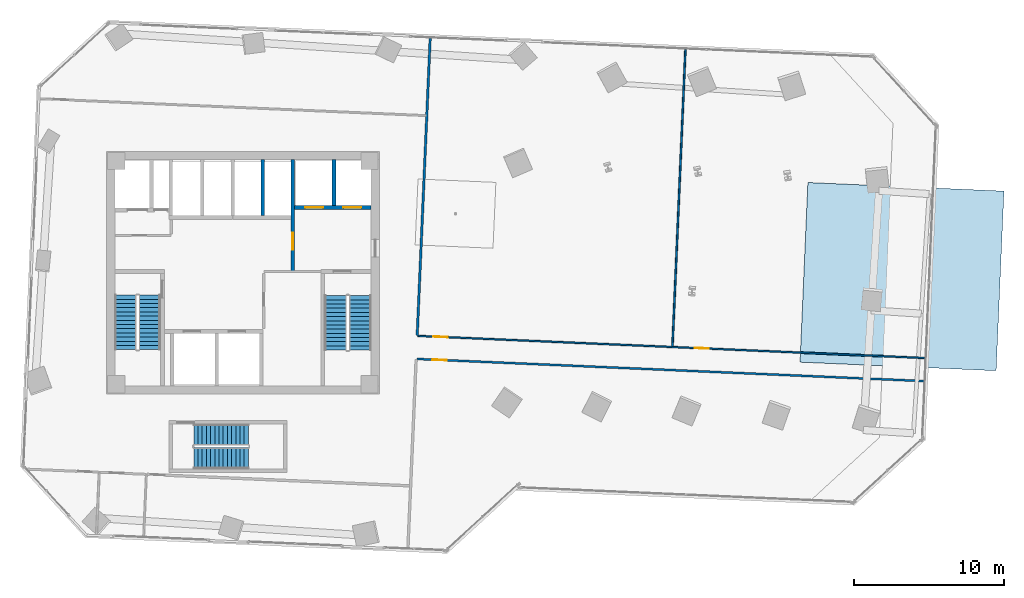
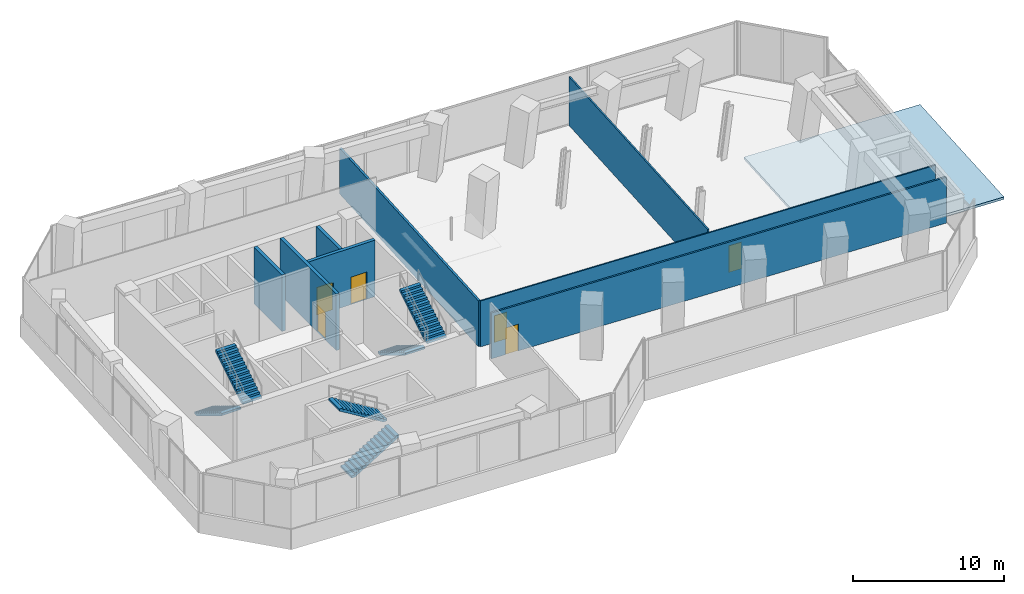
# One storey, part 23 of 27: 8 walls, 6 doors, 6 stair flights, 1 roof, 6 openings, 3 elements without a shape of their own.
"""IFC4 building model written with IfcOpenShell, lengths in metres."""

import ifcopenshell
import ifcopenshell.guid

model = None  # the IFC model being written
_history = None  # IfcOwnerHistory: only IFC2X3 demands one
_inside = {}  # id of a spatial element -> (the spatial element, [elements in it])
_under = {}  # id of a project, library or spatial element -> (it, [spatial elements below it])
_declared = {}  # id of a project -> (the project, [libraries it declares])
_typed = {}  # id of a type object -> (the type object, [elements of that type])
_made_of = {}  # id of a material, layer set ... -> (it, [elements and type objects made of it])


def new_model(schema):
    """Start an empty IFC model of exactly this schema.

    Asked for "IFC4X3", IfcOpenShell would pick the latest addendum, in which some entities
    have other attributes; the version numbers below select the first issue.
    IFC2X3 requires an IfcOwnerHistory on every rooted entity: one is made here for all.
    """
    global model, _history
    if schema == "IFC4X3":
        model = ifcopenshell.file(schema_version=(4, 3, 0, 0))
    else:
        model = ifcopenshell.file(schema=schema)
    _inside.clear()
    _under.clear()
    _declared.clear()
    _typed.clear()
    _made_of.clear()
    _history = None
    if model.schema == "IFC2X3":
        org = make("IfcOrganization", Name="unknown")
        user = make(
            "IfcPersonAndOrganization",
            ThePerson=make("IfcPerson", FamilyName="unknown"),
            TheOrganization=org,
        )
        app = make(
            "IfcApplication",
            ApplicationDeveloper=org,
            Version="unknown",
            ApplicationFullName="unknown",
            ApplicationIdentifier="unknown",
        )
        _history = make(
            "IfcOwnerHistory",
            OwningUser=user,
            OwningApplication=app,
            ChangeAction="ADDED",
            CreationDate=0,
        )
    return model


def make(cls, **values):
    """One entity of the class cls with the attributes given. An attribute that is None is left unset."""
    return model.create_entity(
        cls, **{name: value for name, value in values.items() if value is not None}
    )


def rooted(cls, **values):
    """An entity with a GlobalId (a new one), such as an element, a storey or a relation."""
    return make(cls, GlobalId=ifcopenshell.guid.new(), OwnerHistory=_history, **values)


def si_unit(unit_type, name, prefix=None):
    """IfcSIUnit, for example si_unit("LENGTHUNIT", "METRE", prefix="MILLI")."""
    return make("IfcSIUnit", UnitType=unit_type, Prefix=prefix, Name=name)


def assignment(units):
    """IfcUnitAssignment: the units of a project."""
    return None if units is None else make("IfcUnitAssignment", Units=units)


def point(xyz):
    """IfcCartesianPoint."""
    return None if xyz is None else make("IfcCartesianPoint", Coordinates=xyz)


def direction(xyz):
    """IfcDirection."""
    return None if xyz is None else make("IfcDirection", DirectionRatios=xyz)


def frame(location, z_axis=None, x_axis=None):
    """IfcAxis2Placement3D, a coordinate frame: its origin and axes. An axis left out is left unset."""
    return make(
        "IfcAxis2Placement3D",
        Location=point(location),
        Axis=direction(z_axis),
        RefDirection=direction(x_axis),
    )


def frame_2d(location, x_axis=None):
    """IfcAxis2Placement2D, a coordinate frame in the plane: its origin and x axis."""
    return make(
        "IfcAxis2Placement2D", Location=point(location), RefDirection=direction(x_axis)
    )


def origin():
    """The frame at (0, 0, 0) with its axes left unset."""
    return frame((0.0, 0.0, 0.0))


def place(relative_to, where):
    """IfcLocalPlacement: puts the frame where relative to a parent placement (None: the world)."""
    return make(
        "IfcLocalPlacement", PlacementRelTo=relative_to, RelativePlacement=where
    )


def context(
    kind, dimensions, precision=None, world=None, true_north=None, identifier=None
):
    """IfcGeometricRepresentationContext, for example the 3D "Model" context."""
    return make(
        "IfcGeometricRepresentationContext",
        ContextIdentifier=identifier,
        ContextType=kind,
        CoordinateSpaceDimension=dimensions,
        Precision=precision,
        WorldCoordinateSystem=world,
        TrueNorth=true_north,
    )


def subcontext(parent, identifier, kind, view, scale=None):
    """IfcGeometricRepresentationSubContext, for example "Body" below "Model"."""
    return make(
        "IfcGeometricRepresentationSubContext",
        ContextIdentifier=identifier,
        ContextType=kind,
        ParentContext=parent,
        TargetScale=scale,
        TargetView=view,
    )


def project(units=None, contexts=None):
    """IfcProject with its units and contexts."""
    return rooted(
        "IfcProject",
        Name="project",
        RepresentationContexts=contexts,
        UnitsInContext=assignment(units),
    )


def spatial(cls, under=None, at=None, **own):
    """A site, building, storey or space (cls), placed at a placement, below another one or the project."""
    s = rooted(cls, ObjectPlacement=at, **own)
    if under is not None:
        _under.setdefault(under.id(), (under, []))[1].append(s)
    return s


def polyline(points):
    """IfcPolyline through the points."""
    return make("IfcPolyline", Points=[point(p) for p in points])


def profile(cls, at=None, kind="AREA", **sizes):
    """A parametric profile (cls). Its sizes go by their IFC names, for example OverallWidth=200.0."""
    return make(cls, ProfileType=kind, Position=at, **sizes)


def rectangle(**sizes):
    """IfcRectangleProfileDef."""
    return profile("IfcRectangleProfileDef", **sizes)


def outline(outer, holes=None, kind="AREA"):
    """IfcArbitraryClosedProfileDef: a profile drawn as a closed curve; with holes, ...WithVoids."""
    if holes is None:
        return make("IfcArbitraryClosedProfileDef", ProfileType=kind, OuterCurve=outer)
    return make(
        "IfcArbitraryProfileDefWithVoids",
        ProfileType=kind,
        OuterCurve=outer,
        InnerCurves=holes,
    )


def extrude(swept, where, along, depth):
    """IfcExtrudedAreaSolid: the profile swept, set in the frame where, extruded along a direction by depth."""
    return make(
        "IfcExtrudedAreaSolid",
        SweptArea=swept,
        Position=where,
        ExtrudedDirection=direction(along),
        Depth=depth,
    )


def shape(context_of_items, identifier, shape_type, items):
    """IfcShapeRepresentation: the items that make up one representation, for example the "Body"."""
    return make(
        "IfcShapeRepresentation",
        ContextOfItems=context_of_items,
        RepresentationIdentifier=identifier,
        RepresentationType=shape_type,
        Items=items,
    )


def source(mapping_origin, context_of_items, identifier, shape_type, items):
    """IfcRepresentationMap: a shape defined once, which mapped items show again and again."""
    return make(
        "IfcRepresentationMap",
        MappingOrigin=mapping_origin,
        MappedRepresentation=shape(context_of_items, identifier, shape_type, items),
    )


def transform(
    local_origin,
    x_axis=None,
    y_axis=None,
    z_axis=None,
    scale=None,
    scale2=None,
    scale3=None,
    uniform=True,
):
    """IfcCartesianTransformationOperator3D, or its non-uniform kind. x_axis, y_axis, z_axis: its Axis1, 2, 3."""
    if uniform:
        return make(
            "IfcCartesianTransformationOperator3D",
            Axis1=direction(x_axis),
            Axis2=direction(y_axis),
            LocalOrigin=point(local_origin),
            Scale=scale,
            Axis3=direction(z_axis),
        )
    return make(
        "IfcCartesianTransformationOperator3DnonUniform",
        Axis1=direction(x_axis),
        Axis2=direction(y_axis),
        LocalOrigin=point(local_origin),
        Scale=scale,
        Axis3=direction(z_axis),
        Scale2=scale2,
        Scale3=scale3,
    )


def mapped(mapping_source, mapping_target):
    """IfcMappedItem: shows the shape of a source again, moved by a transform."""
    return make(
        "IfcMappedItem", MappingSource=mapping_source, MappingTarget=mapping_target
    )


def material(Name=None, Category=None):
    """IfcMaterial."""
    return make("IfcMaterial", Name=Name, Category=Category)


def layer(
    of_material, thickness, ventilated=None, Name=None, Category=None, Priority=None
):
    """IfcMaterialLayer: one layer of a wall or slab, of a material (None: an air gap)."""
    return make(
        "IfcMaterialLayer",
        Material=of_material,
        LayerThickness=thickness,
        IsVentilated=ventilated,
        Name=Name,
        Category=Category,
        Priority=Priority,
    )


def layer_set(layers, Name=None):
    """IfcMaterialLayerSet."""
    return make("IfcMaterialLayerSet", MaterialLayers=layers, LayerSetName=Name)


def made_of(thing, what):
    """Note that an element or type object is made of a material, layer set ...; save() writes the relation."""
    if what is not None:
        _made_of.setdefault(what.id(), (what, []))[1].append(thing)
    return thing


def type_object(cls, material=None, **own):
    """A type object (cls), such as IfcWallType, which elements share."""
    return made_of(rooted(cls, **own), material)


def element(
    cls,
    number,
    at=None,
    inside=None,
    cuts=None,
    type_object=None,
    material=None,
    context=None,
    identifier="Body",
    shape_type=None,
    held_by="IfcProductDefinitionShape",
    body=None,
    shapes=None,
    **own,
):
    """One element of the class cls, such as IfcWall. Its Tag is "e" and its number.

    at: its placement. inside: the storey or other place that contains it. cuts: it is an
    opening in that element (IfcRelVoidsElement). A single representation is given by context,
    identifier, shape_type and body (its items); several are given by shapes. held_by: the class
    of the entity that holds the representations. save() writes the other relations.
    """
    e = rooted(cls, Tag="e%d" % number, ObjectPlacement=at, **own)
    if body is not None:
        shapes = [shape(context, identifier, shape_type, body)]
    if shapes is not None:
        e.Representation = make(held_by, Representations=shapes)
    if inside is not None:
        _inside.setdefault(inside.id(), (inside, []))[1].append(e)
    if cuts is not None:
        rooted(
            "IfcRelVoidsElement", RelatingBuildingElement=cuts, RelatedOpeningElement=e
        )
    if type_object is not None:
        _typed.setdefault(type_object.id(), (type_object, []))[1].append(e)
    return made_of(e, material)


def fill(opening, filler):
    """IfcRelFillsElement: the door or window that sits in an opening."""
    return rooted(
        "IfcRelFillsElement",
        RelatingOpeningElement=opening,
        RelatedBuildingElement=filler,
    )


def aggregate(whole, parts):
    """IfcRelAggregates: a whole, such as a stair, and the parts it consists of."""
    return rooted("IfcRelAggregates", RelatingObject=whole, RelatedObjects=parts)


def save(model, path):
    """Write the relations noted so far, then the file.

    IfcRelAggregates (storeys below a building ...), IfcRelContainedInSpatialStructure (elements
    in a storey), IfcRelDefinesByType, IfcRelAssociatesMaterial and IfcRelDeclares: one each for
    every whole, place, type object, material and project.
    """
    for whole, parts in _under.values():
        aggregate(whole, parts)
    for where, things in _inside.values():
        rooted(
            "IfcRelContainedInSpatialStructure",
            RelatedElements=things,
            RelatingStructure=where,
        )
    for kind, things in _typed.values():
        rooted("IfcRelDefinesByType", RelatedObjects=things, RelatingType=kind)
    for what, things in _made_of.values():
        rooted("IfcRelAssociatesMaterial", RelatedObjects=things, RelatingMaterial=what)
    for by, libraries in _declared.values():
        rooted("IfcRelDeclares", RelatingContext=by, RelatedDefinitions=libraries)
    model.write(path)


model = new_model("IFC4")

# Units and contexts
model_context = context("Model", 3, precision=1e-05, world=origin(), true_north=direction((0.0, 1.0)))
body_context = subcontext(model_context, "Body", "Model", "MODEL_VIEW")
ifc_project = project(units=[si_unit("LENGTHUNIT", "METRE"), si_unit("AREAUNIT", "SQUARE_METRE"), si_unit("VOLUMEUNIT", "CUBIC_METRE"), si_unit("PLANEANGLEUNIT", "RADIAN"), si_unit("MASSUNIT", "GRAM", prefix="KILO")], contexts=[model_context])

# Site, building, storey
site_placement = place(None, origin())
site = spatial("IfcSite", under=ifc_project, at=site_placement, CompositionType="ELEMENT")
building_placement = place(site_placement, origin())
building = spatial("IfcBuilding", under=site, at=building_placement, Name="Torre Montelarca", CompositionType="ELEMENT")
storey_placement = place(building_placement, frame((0.0, 0.0, 37.60009765625)))
storey = spatial("IfcBuildingStorey", under=building, at=storey_placement, Name="L08", CompositionType="ELEMENT", Elevation=37.60009765625)

# Wall, opening, door
ifc_material_1 = material(Name="Concrete C40/50", Category="concrete")
ifc_layer_1 = layer(ifc_material_1, 0.25, Name="Concrete C40/50", Category="concrete")
ifc_layer_set_1 = layer_set([ifc_layer_1], Name="Concrete C40/50")
wall_type_1 = type_object("IfcWallType", Name="CW-SHAFT-250", PredefinedType="SHEAR", material=ifc_layer_set_1)
wall_1_placement = place(storey_placement, frame((21.320068359375, 32.1201171875, 0.0), z_axis=(0.0, 0.0, 1.0), x_axis=(0.0, 1.0, 0.0)))
wall_1 = element("IfcWall", 1, at=wall_1_placement, inside=storey, type_object=wall_type_1, Name="L08 Core Shear Wall SH-FFL-W", PredefinedType="SHEAR", context=body_context, shape_type="SweptSolid", body=[
    extrude(rectangle(XDim=7.419921875, YDim=0.25, at=frame_2d((3.7099609375, 0.0))), origin(), (0.0, 0.0, 1.0), 4.559814453125),
])
opening_1_placement = place(wall_1_placement, frame((1.39990234375, 0.0, 0.0)))
opening_1 = element("IfcOpeningElement", 2, at=opening_1_placement, cuts=wall_1, Name="Opening FD-LB1", PredefinedType="OPENING", context=body_context, shape_type="SweptSolid", body=[
    extrude(rectangle(XDim=1.14990234375, YDim=2.199951171875, at=frame_2d((0.574951171875, 1.10009765625))), frame((0.0, 0.135009765625, 0.0), z_axis=(0.0, -1.0, 0.0), x_axis=(1.0, 0.0, 0.0)), (0.0, 0.0, 1.0), 0.27001953125),
])
ifc_material_2 = material(Name="Acoustic timber-veneered fire door", Category="wood")
door_type_1 = type_object("IfcDoorType", Name="DR-LOBBY-115", OperationType="NOTDEFINED", PredefinedType="DOOR", material=ifc_material_2)
shared_shape_1 = source(origin(), body_context, "Body", "SweptSolid", [
    extrude(rectangle(XDim=1.14990234375, YDim=2.199951171875, at=frame_2d((0.574951171875, 1.10009765625))), frame((0.0, 0.02490234375, 0.0), z_axis=(0.0, -1.0, 0.0), x_axis=(1.0, 0.0, 0.0)), (0.0, 0.0, 1.0), 0.050048828125),
])
door_1_placement = place(opening_1_placement, origin())
door_1 = element("IfcDoor", 3, at=door_1_placement, inside=storey, type_object=door_type_1, Name="L08 Lift Lobby to Firefighting Lobby Smoke Door", OperationType="SINGLE_SWING_LEFT", OverallHeight=2.199951171875, OverallWidth=1.14990234375, PredefinedType="DOOR", context=body_context, shape_type="MappedRepresentation", body=[
    mapped(shared_shape_1, transform((0.0, 0.0, 0.0), scale=1.0)),
])
fill(opening_1, door_1)

# Wall, openings, doors
wall_2_placement = place(storey_placement, frame((21.449951171875, 36.35009765625, 0.0), z_axis=(0.0, 0.0, 1.0), x_axis=(1.0, 0.0, 0.0)))
wall_2 = element("IfcWall", 4, at=wall_2_placement, inside=storey, type_object=wall_type_1, Name="L08 Core Shear Wall SH-FF-S", PredefinedType="SHEAR", context=body_context, shape_type="SweptSolid", body=[
    extrude(rectangle(XDim=5.090087890625, YDim=0.25, at=frame_2d((2.544921875, 0.0))), origin(), (0.0, 0.0, 1.0), 4.559814453125),
])
opening_2_placement = place(wall_2_placement, frame((0.699951171875, 0.0, 0.0)))
opening_2 = element("IfcOpeningElement", 5, at=opening_2_placement, cuts=wall_2, Name="Opening LD-120", PredefinedType="OPENING", context=body_context, shape_type="SweptSolid", body=[
    extrude(rectangle(XDim=1.199951171875, YDim=2.199951171875, at=frame_2d((0.60009765625, 1.10009765625))), frame((0.0, 0.135009765625, 0.0), z_axis=(0.0, -1.0, 0.0), x_axis=(1.0, 0.0, 0.0)), (0.0, 0.0, 1.0), 0.27001953125),
])
opening_3_placement = place(wall_2_placement, frame((3.25, 0.0, 0.0)))
opening_3 = element("IfcOpeningElement", 6, at=opening_3_placement, cuts=wall_2, Name="Opening LD-120", PredefinedType="OPENING", context=body_context, shape_type="SweptSolid", body=[
    extrude(rectangle(XDim=1.199951171875, YDim=2.199951171875, at=frame_2d((0.60009765625, 1.10009765625))), frame((0.0, 0.135009765625, 0.0), z_axis=(0.0, -1.0, 0.0), x_axis=(1.0, 0.0, 0.0)), (0.0, 0.0, 1.0), 0.27001953125),
])
ifc_material_3 = material(Name="Brushed stainless steel AISI 316", Category="steel")
door_type_2 = type_object("IfcDoorType", Name="DR-LIFT-120", OperationType="SLIDING_TO_RIGHT", PredefinedType="DOOR", material=ifc_material_3)
shared_shape_2 = source(origin(), body_context, "Body", "SweptSolid", [
    extrude(rectangle(XDim=1.199951171875, YDim=2.199951171875, at=frame_2d((0.60009765625, 1.10009765625))), frame((0.0, 0.02490234375, 0.0), z_axis=(0.0, -1.0, 0.0), x_axis=(1.0, 0.0, 0.0)), (0.0, 0.0, 1.0), 0.050048828125),
])
door_2_placement = place(opening_2_placement, origin())
door_2 = element("IfcDoor", 7, at=door_2_placement, inside=storey, type_object=door_type_2, Name="L08 Lift Landing Sliding Door FF-1", OperationType="SLIDING_TO_LEFT", OverallHeight=2.199951171875, OverallWidth=1.199951171875, PredefinedType="DOOR", context=body_context, shape_type="MappedRepresentation", body=[
    mapped(shared_shape_2, transform((0.0, 0.0, 0.0), scale=1.0)),
])
fill(opening_2, door_2)
door_3_placement = place(opening_3_placement, origin())
door_3 = element("IfcDoor", 8, at=door_3_placement, inside=storey, type_object=door_type_2, Name="L08 Lift Landing Sliding Door FF-2", OperationType="SLIDING_TO_RIGHT", OverallHeight=2.199951171875, OverallWidth=1.199951171875, PredefinedType="DOOR", context=body_context, shape_type="MappedRepresentation", body=[
    mapped(shared_shape_2, transform((0.0, 0.0, 0.0), scale=1.0)),
])
fill(opening_3, door_3)

# Walls
wall_3_placement = place(storey_placement, frame((24.080078125, 36.47998046875, 0.0), z_axis=(0.0, 0.0, 1.0), x_axis=(0.0, 1.0, 0.0)))
element("IfcWall", 9, at=wall_3_placement, inside=storey, type_object=wall_type_1, Name="L08 Core Shear Wall SH-FF-M", PredefinedType="SHEAR", context=body_context, shape_type="SweptSolid", body=[
    extrude(rectangle(XDim=3.06005859375, YDim=0.25, at=frame_2d((1.530029296875, 0.0))), origin(), (0.0, 0.0, 1.0), 4.559814453125),
])
wall_4_placement = place(storey_placement, frame((19.320068359375, 35.81005859375, 0.0), z_axis=(0.0, 0.0, 1.0), x_axis=(0.0, 1.0, 0.0)))
element("IfcWall", 10, at=wall_4_placement, inside=storey, type_object=wall_type_1, Name="L08 Core Shear Wall SH-PLH-M", PredefinedType="SHEAR", context=body_context, shape_type="SweptSolid", body=[
    extrude(rectangle(XDim=3.72998046875, YDim=0.25, at=frame_2d((1.864990234375, 0.0))), origin(), (0.0, 0.0, 1.0), 4.559814453125),
])
ifc_material_4 = material(Name="Gypsum plasterboard on steel stud", Category="steel")
ifc_layer_2 = layer(ifc_material_4, 0.159912109375, Name="Gypsum plasterboard on steel stud", Category="steel")
ifc_layer_set_2 = layer_set([ifc_layer_2], Name="Gypsum plasterboard on steel stud")
wall_type_2 = type_object("IfcWallType", Name="PW-FIRE-160", PredefinedType="PARTITIONING", material=ifc_layer_set_2)
wall_5_placement = place(storey_placement, frame((29.62548828125, 27.821533203125, 0.0), z_axis=(0.0, 0.0, 1.0), x_axis=(0.043623060059, 0.999048061222, 0.0)))
element("IfcWall", 11, at=wall_5_placement, inside=storey, type_object=wall_type_2, Name="L08 Interior Partition W-L08-ECN", PredefinedType="PARTITIONING", context=body_context, shape_type="SweptSolid", body=[
    extrude(rectangle(XDim=19.83984375, YDim=0.159912109375, at=frame_2d((9.919921875, 0.0))), origin(), (0.0, 0.0, 1.0), 3.69482421875),
])

# Wall, openings, doors
ifc_material_5 = material(Name="Acoustic laminated glass partition", Category="glass")
ifc_layer_3 = layer(ifc_material_5, 0.10009765625, Name="Acoustic laminated glass partition", Category="glass")
ifc_layer_set_3 = layer_set([ifc_layer_3], Name="Acoustic laminated glass partition")
wall_type_3 = type_object("IfcWallType", Name="PW-GLAZ-100", PredefinedType="PARTITIONING", material=ifc_layer_set_3)
wall_6_placement = place(storey_placement, frame((29.663818359375, 27.77978515625, 0.0), z_axis=(0.0, 0.0, 1.0), x_axis=(0.999048269666, -0.043618286038, 0.0)))
wall_6 = element("IfcWall", 12, at=wall_6_placement, inside=storey, type_object=wall_type_3, Name="L08 Interior Partition W-L08-NE-S", PredefinedType="PARTITIONING", context=body_context, shape_type="SweptSolid", body=[
    extrude(rectangle(XDim=33.8798828125, YDim=0.10009765625, at=frame_2d((16.93994140625, 0.0))), origin(), (0.0, 0.0, 1.0), 3.69482421875),
])
opening_4_placement = place(wall_6_placement, frame((1.050048828125, 0.0, 0.0)))
opening_4 = element("IfcOpeningElement", 13, at=opening_4_placement, cuts=wall_6, Name="Opening ID-095", PredefinedType="OPENING", context=body_context, shape_type="SweptSolid", body=[
    extrude(rectangle(XDim=0.949951171875, YDim=2.14990234375, at=frame_2d((0.47509765625, 1.074951171875))), frame((0.0, 0.06005859375, 0.0), z_axis=(0.0, -1.0, 0.0), x_axis=(1.0, 0.0, 0.0)), (0.0, 0.0, 1.0), 0.1201171875),
])
opening_5_placement = place(wall_6_placement, frame((18.5, 0.0, 0.0)))
opening_5 = element("IfcOpeningElement", 14, at=opening_5_placement, cuts=wall_6, Name="Opening ID-095", PredefinedType="OPENING", context=body_context, shape_type="SweptSolid", body=[
    extrude(rectangle(XDim=0.949951171875, YDim=2.14990234375, at=frame_2d((0.47509765625, 1.074951171875))), frame((0.0, 0.06005859375, 0.0), z_axis=(0.0, -1.0, 0.0), x_axis=(1.0, 0.0, 0.0)), (0.0, 0.0, 1.0), 0.1201171875),
])
ifc_material_6 = material(Name="Hardwood acoustic timber veneer", Category="wood")
door_type_3 = type_object("IfcDoorType", Name="DR-INT-095", OperationType="NOTDEFINED", PredefinedType="DOOR", material=ifc_material_6)
shared_shape_3 = source(origin(), body_context, "Body", "SweptSolid", [
    extrude(rectangle(XDim=0.949951171875, YDim=2.14990234375, at=frame_2d((0.47509765625, 1.074951171875))), frame((0.0, 0.02490234375, 0.0), z_axis=(0.0, -1.0, 0.0), x_axis=(1.0, 0.0, 0.0)), (0.0, 0.0, 1.0), 0.050048828125),
])
door_4_placement = place(opening_4_placement, origin())
door_4 = element("IfcDoor", 15, at=door_4_placement, inside=storey, type_object=door_type_3, Name="L08 Interior Door 07", OperationType="SINGLE_SWING_LEFT", OverallHeight=2.14990234375, OverallWidth=0.949951171875, PredefinedType="DOOR", context=body_context, shape_type="MappedRepresentation", body=[
    mapped(shared_shape_3, transform((0.0, 0.0, 0.0), scale=1.0)),
])
fill(opening_4, door_4)
door_5_placement = place(opening_5_placement, origin())
door_5 = element("IfcDoor", 16, at=door_5_placement, inside=storey, type_object=door_type_3, Name="L08 Interior Door 08", OperationType="SINGLE_SWING_RIGHT", OverallHeight=2.14990234375, OverallWidth=0.949951171875, PredefinedType="DOOR", context=body_context, shape_type="MappedRepresentation", body=[
    mapped(shared_shape_3, transform((0.0, 0.0, 0.0), scale=1.0)),
])
fill(opening_5, door_5)

# Wall
ifc_layer_4 = layer(ifc_material_4, 0.114990234375, Name="Gypsum plasterboard on steel stud", Category="steel")
ifc_layer_set_4 = layer_set([ifc_layer_4], Name="Gypsum plasterboard on steel stud")
wall_type_4 = type_object("IfcWallType", Name="PW-PART-115", PredefinedType="PARTITIONING", material=ifc_layer_set_4)
wall_7_placement = place(storey_placement, frame((46.6591796875, 27.077880859375, 0.0), z_axis=(0.0, 0.0, 1.0), x_axis=(0.043623060059, 0.999048061222, 0.0)))
element("IfcWall", 17, at=wall_7_placement, inside=storey, type_object=wall_type_4, Name="L08 Interior Partition W-L08-NEDIV-1", PredefinedType="PARTITIONING", context=body_context, shape_type="SweptSolid", body=[
    extrude(rectangle(XDim=19.83984375, YDim=0.114990234375, at=frame_2d((9.919921875, 0.0))), origin(), (0.0, 0.0, 1.0), 3.9228515625),
])

# Wall, opening, door
ifc_layer_5 = layer(ifc_material_4, 0.135009765625, Name="Gypsum plasterboard on steel stud", Category="steel")
ifc_layer_set_5 = layer_set([ifc_layer_5], Name="Gypsum plasterboard on steel stud")
wall_type_5 = type_object("IfcWallType", Name="PW-PART-135", PredefinedType="PARTITIONING", material=ifc_layer_set_5)
wall_8_placement = place(storey_placement, frame((29.5966796875, 26.241455078125, 0.0), z_axis=(0.0, 0.0, 1.0), x_axis=(0.999047941909, -0.043625792456, 0.0)))
wall_8 = element("IfcWall", 18, at=wall_8_placement, inside=storey, type_object=wall_type_5, Name="L08 Interior Partition W-L08-SE-N", PredefinedType="PARTITIONING", context=body_context, shape_type="SweptSolid", body=[
    extrude(rectangle(XDim=33.879638671875, YDim=0.135009765625, at=frame_2d((16.93994140625, 0.0))), origin(), (0.0, 0.0, 1.0), 3.69482421875),
])
opening_6_placement = place(wall_8_placement, frame((1.050048828125, 0.0, 0.0)))
opening_6 = element("IfcOpeningElement", 19, at=opening_6_placement, cuts=wall_8, Name="Opening ID-095", PredefinedType="OPENING", context=body_context, shape_type="SweptSolid", body=[
    extrude(rectangle(XDim=0.949951171875, YDim=2.14990234375, at=frame_2d((0.47509765625, 1.074951171875))), frame((0.0, 0.07763671875, 0.0), z_axis=(0.0, -1.0, 0.0), x_axis=(1.0, 0.0, 0.0)), (0.0, 0.0, 1.0), 0.155029296875),
])
door_6_placement = place(opening_6_placement, origin())
door_6 = element("IfcDoor", 20, at=door_6_placement, inside=storey, type_object=door_type_3, Name="L08 Interior Door 09", OperationType="SINGLE_SWING_LEFT", OverallHeight=2.14990234375, OverallWidth=0.949951171875, PredefinedType="DOOR", context=body_context, shape_type="MappedRepresentation", body=[
    mapped(shared_shape_3, transform((0.0, 0.0, 0.0), scale=1.0)),
])
fill(opening_6, door_6)

# Stair, stair flights
stair_type_1 = type_object("IfcStairType", Name="ST-CORE-ST1", PredefinedType="HALF_TURN_STAIR", material=ifc_material_1)
stair_1_placement = place(storey_placement, origin())
stair_1 = element("IfcStair", 21, at=stair_1_placement, inside=storey, type_object=stair_type_1, Name="L08 Protected Exit Stair ST1", PredefinedType="HALF_TURN_STAIR")
stair_flight_type_1 = type_object("IfcStairFlightType", Name="SFL-CORE-ST1", PredefinedType="STRAIGHT", material=ifc_material_1)
stair_flight_1_placement = place(storey_placement, frame((10.175048828125, 30.5, 0.0), z_axis=(0.0, 0.0, 1.0), x_axis=(0.0, -1.0, 0.0)))
stair_flight_1 = element("IfcStairFlight", 22, at=stair_flight_1_placement, type_object=stair_flight_type_1, Name="ST1 flight 1", NumberOfRisers=14, NumberOfTreads=13, PredefinedType="STRAIGHT", RiserHeight=0.171428571, TreadLength=0.28, context=body_context, shape_type="SweptSolid", body=[
    extrude(outline(polyline([(0.0, 0.0), (0.0, 0.17138671875), (0.280029296875, 0.17138671875), (0.280029296875, 0.3427734375), (0.56005859375, 0.3427734375), (0.56005859375, 0.514404296875), (0.840087890625, 0.514404296875), (0.840087890625, 0.685791015625), (1.1201171875, 0.685791015625), (1.1201171875, 0.857177734375), (1.39990234375, 0.857177734375), (1.39990234375, 1.028564453125), (1.679931640625, 1.028564453125), (1.679931640625, 1.199951171875), (1.9599609375, 1.199951171875), (1.9599609375, 1.371337890625), (2.239990234375, 1.371337890625), (2.239990234375, 1.54296875), (2.52001953125, 1.54296875), (2.52001953125, 1.71435546875), (2.800048828125, 1.71435546875), (2.800048828125, 1.8857421875), (3.080078125, 1.8857421875), (3.080078125, 2.05712890625), (3.360107421875, 2.05712890625), (3.360107421875, 2.228515625), (3.639892578125, 2.228515625), (3.639892578125, 2.39990234375), (3.639892578125, 2.052734375), (0.287109375, 0.0), (0.0, 0.0)])), frame((0.0, 0.72509765625, 0.0), z_axis=(0.0, -1.0, 0.0), x_axis=(1.0, 0.0, 0.0)), (0.0, 0.0, 1.0), 1.449951171875),
])
stair_flight_2_placement = place(storey_placement, frame((11.77490234375, 26.860107421875, 2.39990234375), z_axis=(0.0, 0.0, 1.0), x_axis=(0.0, 1.0, 0.0)))
stair_flight_2 = element("IfcStairFlight", 23, at=stair_flight_2_placement, type_object=stair_flight_type_1, Name="ST1 flight 2", NumberOfRisers=14, NumberOfTreads=13, PredefinedType="STRAIGHT", RiserHeight=0.171428571, TreadLength=0.28, context=body_context, shape_type="SweptSolid", body=[
    extrude(outline(polyline([(0.0, 0.0), (0.0, 0.17138671875), (0.280029296875, 0.17138671875), (0.280029296875, 0.3427734375), (0.56005859375, 0.3427734375), (0.56005859375, 0.514404296875), (0.840087890625, 0.514404296875), (0.840087890625, 0.685791015625), (1.1201171875, 0.685791015625), (1.1201171875, 0.857177734375), (1.39990234375, 0.857177734375), (1.39990234375, 1.028564453125), (1.679931640625, 1.028564453125), (1.679931640625, 1.199951171875), (1.9599609375, 1.199951171875), (1.9599609375, 1.371337890625), (2.239990234375, 1.371337890625), (2.239990234375, 1.54296875), (2.52001953125, 1.54296875), (2.52001953125, 1.71435546875), (2.800048828125, 1.71435546875), (2.800048828125, 1.8857421875), (3.080078125, 1.8857421875), (3.080078125, 2.05712890625), (3.360107421875, 2.05712890625), (3.360107421875, 2.228515625), (3.639892578125, 2.228515625), (3.639892578125, 2.39990234375), (3.639892578125, 2.052734375), (0.287109375, 0.0), (0.0, 0.0)])), frame((0.0, 0.72509765625, 0.0), z_axis=(0.0, -1.0, 0.0), x_axis=(1.0, 0.0, 0.0)), (0.0, 0.0, 1.0), 1.449951171875),
])
aggregate(stair_1, [stair_flight_1, stair_flight_2])

stair_type_2 = type_object("IfcStairType", Name="ST-CORE-ST2", PredefinedType="HALF_TURN_STAIR", material=ifc_material_1)
stair_2_placement = place(storey_placement, origin())
stair_2 = element("IfcStair", 24, at=stair_2_placement, inside=storey, type_object=stair_type_2, Name="L08 Protected Exit Stair ST2", PredefinedType="HALF_TURN_STAIR")
stair_flight_type_2 = type_object("IfcStairFlightType", Name="SFL-CORE-ST2", PredefinedType="STRAIGHT", material=ifc_material_1)
stair_flight_3_placement = place(storey_placement, frame((24.179931640625, 30.469970703125, 0.0), z_axis=(0.0, 0.0, 1.0), x_axis=(0.0, -1.0, 0.0)))
stair_flight_3 = element("IfcStairFlight", 25, at=stair_flight_3_placement, type_object=stair_flight_type_2, Name="ST2 flight 1", NumberOfRisers=14, NumberOfTreads=13, PredefinedType="STRAIGHT", RiserHeight=0.171428571, TreadLength=0.28, context=body_context, shape_type="SweptSolid", body=[
    extrude(outline(polyline([(0.0, 0.0), (0.0, 0.17138671875), (0.280029296875, 0.17138671875), (0.280029296875, 0.3427734375), (0.56005859375, 0.3427734375), (0.56005859375, 0.514404296875), (0.840087890625, 0.514404296875), (0.840087890625, 0.685791015625), (1.1201171875, 0.685791015625), (1.1201171875, 0.857177734375), (1.39990234375, 0.857177734375), (1.39990234375, 1.028564453125), (1.679931640625, 1.028564453125), (1.679931640625, 1.199951171875), (1.9599609375, 1.199951171875), (1.9599609375, 1.371337890625), (2.239990234375, 1.371337890625), (2.239990234375, 1.54296875), (2.52001953125, 1.54296875), (2.52001953125, 1.71435546875), (2.800048828125, 1.71435546875), (2.800048828125, 1.8857421875), (3.080078125, 1.8857421875), (3.080078125, 2.05712890625), (3.360107421875, 2.05712890625), (3.360107421875, 2.228515625), (3.639892578125, 2.228515625), (3.639892578125, 2.39990234375), (3.639892578125, 2.052734375), (0.287109375, 0.0), (0.0, 0.0)])), frame((0.0, 0.739990234375, 0.0), z_axis=(0.0, -1.0, 0.0), x_axis=(1.0, 0.0, 0.0)), (0.0, 0.0, 1.0), 1.47998046875),
])
stair_flight_4_placement = place(storey_placement, frame((25.81005859375, 26.830078125, 2.39990234375), z_axis=(0.0, 0.0, 1.0), x_axis=(0.0, 1.0, 0.0)))
stair_flight_4 = element("IfcStairFlight", 26, at=stair_flight_4_placement, type_object=stair_flight_type_2, Name="ST2 flight 2", NumberOfRisers=14, NumberOfTreads=13, PredefinedType="STRAIGHT", RiserHeight=0.171428571, TreadLength=0.28, context=body_context, shape_type="SweptSolid", body=[
    extrude(outline(polyline([(0.0, 0.0), (0.0, 0.17138671875), (0.280029296875, 0.17138671875), (0.280029296875, 0.3427734375), (0.56005859375, 0.3427734375), (0.56005859375, 0.514404296875), (0.840087890625, 0.514404296875), (0.840087890625, 0.685791015625), (1.1201171875, 0.685791015625), (1.1201171875, 0.857177734375), (1.39990234375, 0.857177734375), (1.39990234375, 1.028564453125), (1.679931640625, 1.028564453125), (1.679931640625, 1.199951171875), (1.9599609375, 1.199951171875), (1.9599609375, 1.371337890625), (2.239990234375, 1.371337890625), (2.239990234375, 1.54296875), (2.52001953125, 1.54296875), (2.52001953125, 1.71435546875), (2.800048828125, 1.71435546875), (2.800048828125, 1.8857421875), (3.080078125, 1.8857421875), (3.080078125, 2.05712890625), (3.360107421875, 2.05712890625), (3.360107421875, 2.228515625), (3.639892578125, 2.228515625), (3.639892578125, 2.39990234375), (3.639892578125, 2.052734375), (0.287109375, 0.0), (0.0, 0.0)])), frame((0.0, 0.739990234375, 0.0), z_axis=(0.0, -1.0, 0.0), x_axis=(1.0, 0.0, 0.0)), (0.0, 0.0, 1.0), 1.47998046875),
])
aggregate(stair_2, [stair_flight_3, stair_flight_4])

stair_type_3 = type_object("IfcStairType", Name="ST-CORE-ST3", PredefinedType="HALF_TURN_STAIR", material=ifc_material_1)
stair_3_placement = place(storey_placement, origin())
stair_3 = element("IfcStair", 27, at=stair_3_placement, inside=storey, type_object=stair_type_3, Name="L08 Low-Rise Exit Stair ST3", PredefinedType="HALF_TURN_STAIR")
stair_flight_type_3 = type_object("IfcStairFlightType", Name="SFL-CORE-ST3", PredefinedType="STRAIGHT", material=ifc_material_1)
stair_flight_5_placement = place(storey_placement, frame((14.719970703125, 19.610107421875, 0.0), z_axis=(0.0, 0.0, 1.0), x_axis=(1.0, 0.0, 0.0)))
stair_flight_5 = element("IfcStairFlight", 28, at=stair_flight_5_placement, type_object=stair_flight_type_3, Name="ST3 flight 1", NumberOfRisers=14, NumberOfTreads=13, PredefinedType="STRAIGHT", RiserHeight=0.171428571, TreadLength=0.28, context=body_context, shape_type="SweptSolid", body=[
    extrude(outline(polyline([(0.0, 0.0), (0.0, 0.17138671875), (0.280029296875, 0.17138671875), (0.280029296875, 0.3427734375), (0.56005859375, 0.3427734375), (0.56005859375, 0.514404296875), (0.840087890625, 0.514404296875), (0.840087890625, 0.685791015625), (1.1201171875, 0.685791015625), (1.1201171875, 0.857177734375), (1.39990234375, 0.857177734375), (1.39990234375, 1.028564453125), (1.679931640625, 1.028564453125), (1.679931640625, 1.199951171875), (1.9599609375, 1.199951171875), (1.9599609375, 1.371337890625), (2.239990234375, 1.371337890625), (2.239990234375, 1.54296875), (2.52001953125, 1.54296875), (2.52001953125, 1.71435546875), (2.800048828125, 1.71435546875), (2.800048828125, 1.8857421875), (3.080078125, 1.8857421875), (3.080078125, 2.05712890625), (3.360107421875, 2.05712890625), (3.360107421875, 2.228515625), (3.639892578125, 2.228515625), (3.639892578125, 2.39990234375), (3.639892578125, 2.052734375), (0.287109375, 0.0), (0.0, 0.0)])), frame((0.0, 0.7099609375, 0.0), z_axis=(0.0, -1.0, 0.0), x_axis=(1.0, 0.0, 0.0)), (0.0, 0.0, 1.0), 1.419921875),
])
stair_flight_6_placement = place(storey_placement, frame((18.360107421875, 21.179931640625, 2.39990234375), z_axis=(0.0, 0.0, 1.0), x_axis=(-1.0, 0.0, 0.0)))
stair_flight_6 = element("IfcStairFlight", 29, at=stair_flight_6_placement, type_object=stair_flight_type_3, Name="ST3 flight 2", NumberOfRisers=14, NumberOfTreads=13, PredefinedType="STRAIGHT", RiserHeight=0.171428571, TreadLength=0.28, context=body_context, shape_type="SweptSolid", body=[
    extrude(outline(polyline([(0.0, 0.0), (0.0, 0.17138671875), (0.280029296875, 0.17138671875), (0.280029296875, 0.3427734375), (0.56005859375, 0.3427734375), (0.56005859375, 0.514404296875), (0.840087890625, 0.514404296875), (0.840087890625, 0.685791015625), (1.1201171875, 0.685791015625), (1.1201171875, 0.857177734375), (1.39990234375, 0.857177734375), (1.39990234375, 1.028564453125), (1.679931640625, 1.028564453125), (1.679931640625, 1.199951171875), (1.9599609375, 1.199951171875), (1.9599609375, 1.371337890625), (2.239990234375, 1.371337890625), (2.239990234375, 1.54296875), (2.52001953125, 1.54296875), (2.52001953125, 1.71435546875), (2.800048828125, 1.71435546875), (2.800048828125, 1.8857421875), (3.080078125, 1.8857421875), (3.080078125, 2.05712890625), (3.360107421875, 2.05712890625), (3.360107421875, 2.228515625), (3.639892578125, 2.228515625), (3.639892578125, 2.39990234375), (3.639892578125, 2.052734375), (0.287109375, 0.0), (0.0, 0.0)])), frame((0.0, 0.7099609375, 0.0), z_axis=(0.0, -1.0, 0.0), x_axis=(1.0, 0.0, 0.0)), (0.0, 0.0, 1.0), 1.419921875),
])
aggregate(stair_3, [stair_flight_5, stair_flight_6])

# Roof
ifc_material_7 = material(Name="Precast concrete C45/55", Category="concrete")
ifc_layer_6 = layer(ifc_material_7, 0.199951171875, Name="Precast concrete C45/55", Category="concrete")
ifc_layer_set_6 = layer_set([ifc_layer_6], Name="Precast concrete C45/55")
roof_type = type_object("IfcRoofType", Name="RF-CANOPY-200", PredefinedType="FLAT_ROOF", material=ifc_layer_set_6)
roof_placement = place(storey_placement, frame((0.0, 0.0, -0.239990234375)))
element("IfcRoof", 30, at=roof_placement, inside=storey, type_object=roof_type, Name="L07 Sky Terrace Shaded Terracotta Canopy", PredefinedType="FLAT_ROOF", context=body_context, shape_type="SweptSolid", body=[
    extrude(outline(polyline([(55.17138671875, 26.025634765625), (68.259033203125, 25.4541015625), (68.782470703125, 37.44287109375), (55.69482421875, 38.01416015625), (55.17138671875, 26.025634765625)])), origin(), (0.0, 0.0, 1.0), 0.199951171875),
])

save(model, "model.ifc")
